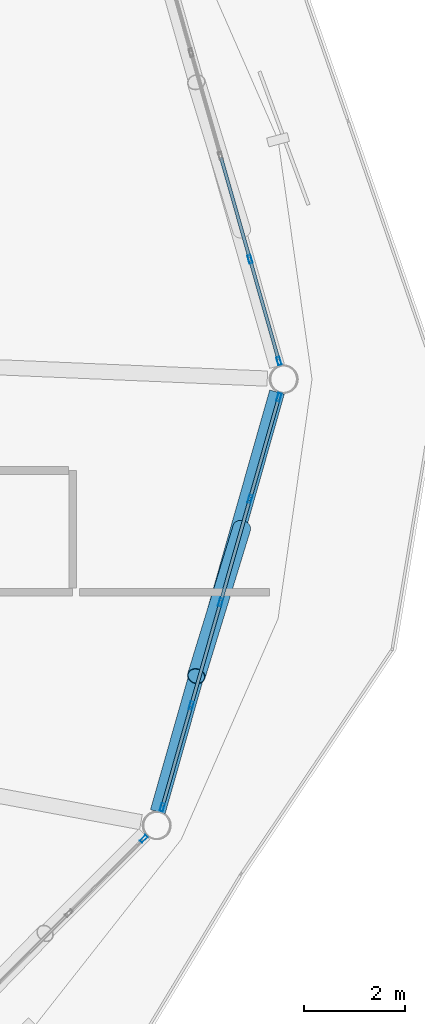
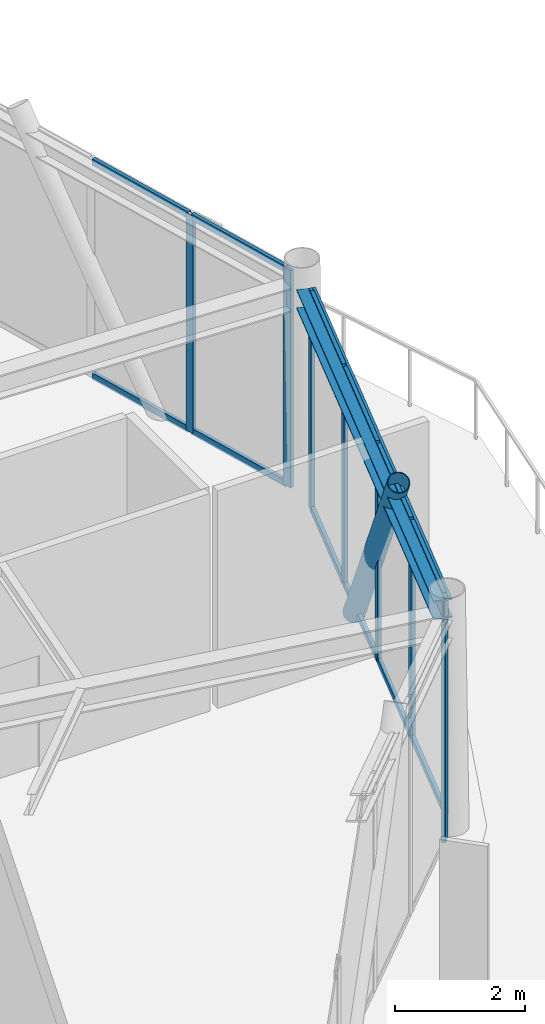
# One storey, part 13 of 24: 21 members, 1 beam, 3 elements without a shape of their own.
"""IFC4 building model written with IfcOpenShell, lengths in metres."""

import ifcopenshell
import ifcopenshell.guid

model = None  # the IFC model being written
_history = None  # IfcOwnerHistory: only IFC2X3 demands one
_inside = {}  # id of a spatial element -> (the spatial element, [elements in it])
_under = {}  # id of a project, library or spatial element -> (it, [spatial elements below it])
_declared = {}  # id of a project -> (the project, [libraries it declares])
_typed = {}  # id of a type object -> (the type object, [elements of that type])
_made_of = {}  # id of a material, layer set ... -> (it, [elements and type objects made of it])


def new_model(schema):
    """Start an empty IFC model of exactly this schema.

    Asked for "IFC4X3", IfcOpenShell would pick the latest addendum, in which some entities
    have other attributes; the version numbers below select the first issue.
    IFC2X3 requires an IfcOwnerHistory on every rooted entity: one is made here for all.
    """
    global model, _history
    if schema == "IFC4X3":
        model = ifcopenshell.file(schema_version=(4, 3, 0, 0))
    else:
        model = ifcopenshell.file(schema=schema)
    _inside.clear()
    _under.clear()
    _declared.clear()
    _typed.clear()
    _made_of.clear()
    _history = None
    if model.schema == "IFC2X3":
        org = make("IfcOrganization", Name="unknown")
        user = make(
            "IfcPersonAndOrganization",
            ThePerson=make("IfcPerson", FamilyName="unknown"),
            TheOrganization=org,
        )
        app = make(
            "IfcApplication",
            ApplicationDeveloper=org,
            Version="unknown",
            ApplicationFullName="unknown",
            ApplicationIdentifier="unknown",
        )
        _history = make(
            "IfcOwnerHistory",
            OwningUser=user,
            OwningApplication=app,
            ChangeAction="ADDED",
            CreationDate=0,
        )
    return model


def make(cls, **values):
    """One entity of the class cls with the attributes given. An attribute that is None is left unset."""
    return model.create_entity(
        cls, **{name: value for name, value in values.items() if value is not None}
    )


def rooted(cls, **values):
    """An entity with a GlobalId (a new one), such as an element, a storey or a relation."""
    return make(cls, GlobalId=ifcopenshell.guid.new(), OwnerHistory=_history, **values)


def si_unit(unit_type, name, prefix=None):
    """IfcSIUnit, for example si_unit("LENGTHUNIT", "METRE", prefix="MILLI")."""
    return make("IfcSIUnit", UnitType=unit_type, Prefix=prefix, Name=name)


def assignment(units):
    """IfcUnitAssignment: the units of a project."""
    return None if units is None else make("IfcUnitAssignment", Units=units)


def point(xyz):
    """IfcCartesianPoint."""
    return None if xyz is None else make("IfcCartesianPoint", Coordinates=xyz)


def direction(xyz):
    """IfcDirection."""
    return None if xyz is None else make("IfcDirection", DirectionRatios=xyz)


def frame(location, z_axis=None, x_axis=None):
    """IfcAxis2Placement3D, a coordinate frame: its origin and axes. An axis left out is left unset."""
    return make(
        "IfcAxis2Placement3D",
        Location=point(location),
        Axis=direction(z_axis),
        RefDirection=direction(x_axis),
    )


def frame_2d(location, x_axis=None):
    """IfcAxis2Placement2D, a coordinate frame in the plane: its origin and x axis."""
    return make(
        "IfcAxis2Placement2D", Location=point(location), RefDirection=direction(x_axis)
    )


def origin():
    """The frame at (0, 0, 0) with its axes left unset."""
    return frame((0.0, 0.0, 0.0))


def origin_2d():
    """The frame at (0, 0) in the plane with its x axis left unset."""
    return frame_2d((0.0, 0.0))


def place(relative_to, where):
    """IfcLocalPlacement: puts the frame where relative to a parent placement (None: the world)."""
    return make(
        "IfcLocalPlacement", PlacementRelTo=relative_to, RelativePlacement=where
    )


def context(
    kind, dimensions, precision=None, world=None, true_north=None, identifier=None
):
    """IfcGeometricRepresentationContext, for example the 3D "Model" context."""
    return make(
        "IfcGeometricRepresentationContext",
        ContextIdentifier=identifier,
        ContextType=kind,
        CoordinateSpaceDimension=dimensions,
        Precision=precision,
        WorldCoordinateSystem=world,
        TrueNorth=true_north,
    )


def subcontext(parent, identifier, kind, view, scale=None):
    """IfcGeometricRepresentationSubContext, for example "Body" below "Model"."""
    return make(
        "IfcGeometricRepresentationSubContext",
        ContextIdentifier=identifier,
        ContextType=kind,
        ParentContext=parent,
        TargetScale=scale,
        TargetView=view,
    )


def project(units=None, contexts=None):
    """IfcProject with its units and contexts."""
    return rooted(
        "IfcProject",
        Name="project",
        RepresentationContexts=contexts,
        UnitsInContext=assignment(units),
    )


def spatial(cls, under=None, at=None, **own):
    """A site, building, storey or space (cls), placed at a placement, below another one or the project."""
    s = rooted(cls, ObjectPlacement=at, **own)
    if under is not None:
        _under.setdefault(under.id(), (under, []))[1].append(s)
    return s


def profile(cls, at=None, kind="AREA", **sizes):
    """A parametric profile (cls). Its sizes go by their IFC names, for example OverallWidth=200.0."""
    return make(cls, ProfileType=kind, Position=at, **sizes)


def hollow_rectangle(**sizes):
    """IfcRectangleHollowProfileDef."""
    return profile("IfcRectangleHollowProfileDef", **sizes)


def hollow_circle(**sizes):
    """IfcCircleHollowProfileDef."""
    return profile("IfcCircleHollowProfileDef", **sizes)


def i_section(**sizes):
    """IfcIShapeProfileDef."""
    return profile("IfcIShapeProfileDef", **sizes)


def extrude(swept, where, along, depth):
    """IfcExtrudedAreaSolid: the profile swept, set in the frame where, extruded along a direction by depth."""
    return make(
        "IfcExtrudedAreaSolid",
        SweptArea=swept,
        Position=where,
        ExtrudedDirection=direction(along),
        Depth=depth,
    )


def shape(context_of_items, identifier, shape_type, items):
    """IfcShapeRepresentation: the items that make up one representation, for example the "Body"."""
    return make(
        "IfcShapeRepresentation",
        ContextOfItems=context_of_items,
        RepresentationIdentifier=identifier,
        RepresentationType=shape_type,
        Items=items,
    )


def material(Name=None, Category=None):
    """IfcMaterial."""
    return make("IfcMaterial", Name=Name, Category=Category)


def layer(
    of_material, thickness, ventilated=None, Name=None, Category=None, Priority=None
):
    """IfcMaterialLayer: one layer of a wall or slab, of a material (None: an air gap)."""
    return make(
        "IfcMaterialLayer",
        Material=of_material,
        LayerThickness=thickness,
        IsVentilated=ventilated,
        Name=Name,
        Category=Category,
        Priority=Priority,
    )


def layer_set(layers, Name=None):
    """IfcMaterialLayerSet."""
    return make("IfcMaterialLayerSet", MaterialLayers=layers, LayerSetName=Name)


def material_profile(
    of_material, cross_section, Name=None, Category=None, Priority=None
):
    """IfcMaterialProfile: a cross section and its material."""
    return make(
        "IfcMaterialProfile",
        Name=Name,
        Material=of_material,
        Profile=cross_section,
        Priority=Priority,
        Category=Category,
    )


def profile_set(profiles, Name=None, composite=None):
    """IfcMaterialProfileSet."""
    return make(
        "IfcMaterialProfileSet",
        Name=Name,
        MaterialProfiles=profiles,
        CompositeProfile=composite,
    )


def made_of(thing, what):
    """Note that an element or type object is made of a material, layer set ...; save() writes the relation."""
    if what is not None:
        _made_of.setdefault(what.id(), (what, []))[1].append(thing)
    return thing


def type_object(cls, material=None, **own):
    """A type object (cls), such as IfcWallType, which elements share."""
    return made_of(rooted(cls, **own), material)


def element(
    cls,
    number,
    at=None,
    inside=None,
    cuts=None,
    type_object=None,
    material=None,
    context=None,
    identifier="Body",
    shape_type=None,
    held_by="IfcProductDefinitionShape",
    body=None,
    shapes=None,
    **own,
):
    """One element of the class cls, such as IfcWall. Its Tag is "e" and its number.

    at: its placement. inside: the storey or other place that contains it. cuts: it is an
    opening in that element (IfcRelVoidsElement). A single representation is given by context,
    identifier, shape_type and body (its items); several are given by shapes. held_by: the class
    of the entity that holds the representations. save() writes the other relations.
    """
    e = rooted(cls, Tag="e%d" % number, ObjectPlacement=at, **own)
    if body is not None:
        shapes = [shape(context, identifier, shape_type, body)]
    if shapes is not None:
        e.Representation = make(held_by, Representations=shapes)
    if inside is not None:
        _inside.setdefault(inside.id(), (inside, []))[1].append(e)
    if cuts is not None:
        rooted(
            "IfcRelVoidsElement", RelatingBuildingElement=cuts, RelatedOpeningElement=e
        )
    if type_object is not None:
        _typed.setdefault(type_object.id(), (type_object, []))[1].append(e)
    return made_of(e, material)


def aggregate(whole, parts):
    """IfcRelAggregates: a whole, such as a stair, and the parts it consists of."""
    return rooted("IfcRelAggregates", RelatingObject=whole, RelatedObjects=parts)


def save(model, path):
    """Write the relations noted so far, then the file.

    IfcRelAggregates (storeys below a building ...), IfcRelContainedInSpatialStructure (elements
    in a storey), IfcRelDefinesByType, IfcRelAssociatesMaterial and IfcRelDeclares: one each for
    every whole, place, type object, material and project.
    """
    for whole, parts in _under.values():
        aggregate(whole, parts)
    for where, things in _inside.values():
        rooted(
            "IfcRelContainedInSpatialStructure",
            RelatedElements=things,
            RelatingStructure=where,
        )
    for kind, things in _typed.values():
        rooted("IfcRelDefinesByType", RelatedObjects=things, RelatingType=kind)
    for what, things in _made_of.values():
        rooted("IfcRelAssociatesMaterial", RelatedObjects=things, RelatingMaterial=what)
    for by, libraries in _declared.values():
        rooted("IfcRelDeclares", RelatingContext=by, RelatedDefinitions=libraries)
    model.write(path)


model = new_model("IFC4")

# Units and contexts
model_context = context("Model", 3, precision=1e-05, world=origin(), true_north=direction((0.0, 1.0)))
body_context = subcontext(model_context, "Body", "Model", "MODEL_VIEW")
ifc_project = project(units=[si_unit("LENGTHUNIT", "METRE"), si_unit("AREAUNIT", "SQUARE_METRE"), si_unit("VOLUMEUNIT", "CUBIC_METRE"), si_unit("PLANEANGLEUNIT", "RADIAN"), si_unit("MASSUNIT", "GRAM", prefix="KILO")], contexts=[model_context])

# Site, building, storey
site_placement = place(None, origin())
site = spatial("IfcSite", under=ifc_project, at=site_placement, CompositionType="ELEMENT")
building_placement = place(site_placement, origin())
building = spatial("IfcBuilding", under=site, at=building_placement, Name="Varnakorn Sky Granary", CompositionType="ELEMENT")
storey_placement = place(building_placement, frame((0.0, 0.0, 285.0)))
storey = spatial("IfcBuildingStorey", under=building, at=storey_placement, Name="L73", CompositionType="ELEMENT", Elevation=285.0)

# Beam
ifc_material_1 = material(Name="Steel S355JR", Category="steel")
ifc_material_profile_1 = material_profile(ifc_material_1, i_section(OverallWidth=0.300048828125, OverallDepth=0.360107421875, WebThickness=0.012451171875, FlangeThickness=0.0224609375, at=origin_2d()), Name="HE 360 B")
ifc_profile_set_1 = profile_set([ifc_material_profile_1], Name="Steel S355JR")
beam_type = type_object("IfcBeamType", Name="BM-SPD-Z5", PredefinedType="SPANDREL", material=ifc_profile_set_1)
beam_placement = place(storey_placement, frame((20.17724609375, -8.528076171875, 3.89990234375), z_axis=(0.273262465219, 0.961939512185, 0.0), x_axis=(-0.961939512185, 0.273262465219, 0.0)))
element("IfcBeam", 1, at=beam_placement, inside=storey, type_object=beam_type, Name="Perimeter Spandrel Ring Beam RB12 L73", PredefinedType="SPANDREL", context=body_context, shape_type="SweptSolid", body=[
    extrude(i_section(OverallWidth=0.300048828125, OverallDepth=0.360107421875, WebThickness=0.012451171875, FlangeThickness=0.0224609375, at=origin_2d()), origin(), (0.0, 0.0, 1.0), 8.60107421875),
])

# Curtain wall, members
ifc_material_2 = material(Name="Anodised Bronze Aluminium Alloy 6063-T6", Category="aluminium")
ifc_layer = layer(ifc_material_2, 0.159912109375, Name="Anodised Bronze Aluminium Alloy 6063-T6")
ifc_layer_set = layer_set([ifc_layer], Name="Anodised Bronze Aluminium Alloy 6063-T6")
curtain_wall_type = type_object("IfcCurtainWallType", Name="CW-OFF-1", PredefinedType="USERDEFINED", material=ifc_layer_set)
curtain_wall_1_placement = place(storey_placement, origin())
curtain_wall_1 = element("IfcCurtainWall", 2, at=curtain_wall_1_placement, inside=storey, type_object=curtain_wall_type, Name="Unitised Curtain Wall CW6 CW-L73-B01", ObjectType="CURTAIN WALL", PredefinedType="USERDEFINED")
ifc_material_profile_2 = material_profile(ifc_material_2, hollow_rectangle(XDim=0.06494140625, YDim=0.159912109375, WallThickness=0.00341796875, at=origin_2d()), Name="ALU MULL 65x160")
ifc_profile_set_2 = profile_set([ifc_material_profile_2], Name="Anodised Bronze Aluminium Alloy 6063-T6")
member_type_1 = type_object("IfcMemberType", Name="CW-OFF-1-MULL", PredefinedType="MULLION", material=ifc_profile_set_2)
member_1_placement = place(storey_placement, frame((21.99560546875, 2.363037109375, 0.0), z_axis=(0.0, 0.0, 1.0), x_axis=(0.96181256174, 0.273708962366, 0.0)))
member_1 = element("IfcMember", 3, at=member_1_placement, type_object=member_type_1, Name="CW6 mullion 4", PredefinedType="MULLION", context=body_context, shape_type="SweptSolid", body=[
    extrude(hollow_rectangle(XDim=0.06494140625, YDim=0.159912109375, WallThickness=0.00341796875, at=origin_2d()), origin(), (0.0, 0.0, 1.0), 4.080078125),
])
member_2_placement = place(storey_placement, frame((22.566162109375, 0.357666015625, 0.0), z_axis=(0.0, 0.0, 1.0), x_axis=(0.96181256174, 0.273708962366, 0.0)))
member_2 = element("IfcMember", 4, at=member_2_placement, type_object=member_type_1, Name="CW6 mullion 5", PredefinedType="MULLION", context=body_context, shape_type="SweptSolid", body=[
    extrude(hollow_rectangle(XDim=0.06494140625, YDim=0.159912109375, WallThickness=0.00341796875, at=origin_2d()), origin(), (0.0, 0.0, 1.0), 4.080078125),
])

# Curtain wall, member
curtain_wall_2_placement = place(storey_placement, origin())
curtain_wall_2 = element("IfcCurtainWall", 5, at=curtain_wall_2_placement, inside=storey, type_object=curtain_wall_type, Name="Unitised Curtain Wall CW6 CW-L73-B11", ObjectType="CURTAIN WALL", PredefinedType="USERDEFINED")
member_3_placement = place(storey_placement, frame((19.900146484375, -9.06201171875, 0.0), z_axis=(0.0, 0.0, 1.0), x_axis=(0.705418921213, -0.708790621831, 0.0)))
member_3 = element("IfcMember", 6, at=member_3_placement, type_object=member_type_1, Name="CW6 mullion 1", PredefinedType="MULLION", context=body_context, shape_type="SweptSolid", body=[
    extrude(hollow_rectangle(XDim=0.06494140625, YDim=0.159912109375, WallThickness=0.00341796875, at=origin_2d()), origin(), (0.0, 0.0, 1.0), 4.080078125),
])
aggregate(curtain_wall_2, [member_3])

# Curtain wall, members
curtain_wall_3_placement = place(storey_placement, origin())
curtain_wall_3 = element("IfcCurtainWall", 7, at=curtain_wall_3_placement, inside=storey, type_object=curtain_wall_type, Name="Unitised Curtain Wall CW6 CW-L73-B12", ObjectType="CURTAIN WALL", PredefinedType="USERDEFINED")
member_4_placement = place(storey_placement, frame((22.566162109375, -0.357666015625, 0.0), z_axis=(0.0, 0.0, 1.0), x_axis=(0.96181256174, -0.273708962366, 0.0)))
member_4 = element("IfcMember", 8, at=member_4_placement, type_object=member_type_1, Name="CW6 mullion 1", PredefinedType="MULLION", context=body_context, shape_type="SweptSolid", body=[
    extrude(hollow_rectangle(XDim=0.06494140625, YDim=0.159912109375, WallThickness=0.00341796875, at=origin_2d()), origin(), (0.0, 0.0, 1.0), 4.080078125),
])
member_5_placement = place(storey_placement, frame((21.99560546875, -2.363037109375, 0.0), z_axis=(0.0, 0.0, 1.0), x_axis=(0.96181256174, -0.273708962366, 0.0)))
member_5 = element("IfcMember", 9, at=member_5_placement, type_object=member_type_1, Name="CW6 mullion 2", PredefinedType="MULLION", context=body_context, shape_type="SweptSolid", body=[
    extrude(hollow_rectangle(XDim=0.06494140625, YDim=0.159912109375, WallThickness=0.00341796875, at=origin_2d()), origin(), (0.0, 0.0, 1.0), 4.080078125),
])
member_6_placement = place(storey_placement, frame((21.416015625, -4.399658203125, 0.0), z_axis=(0.0, 0.0, 1.0), x_axis=(0.96181256174, -0.273708962366, 0.0)))
member_6 = element("IfcMember", 10, at=member_6_placement, type_object=member_type_1, Name="CW6 mullion 3", PredefinedType="MULLION", context=body_context, shape_type="SweptSolid", body=[
    extrude(hollow_rectangle(XDim=0.06494140625, YDim=0.159912109375, WallThickness=0.00341796875, at=origin_2d()), origin(), (0.0, 0.0, 1.0), 4.080078125),
])
member_7_placement = place(storey_placement, frame((20.83642578125, -6.436279296875, 0.0), z_axis=(0.0, 0.0, 1.0), x_axis=(0.96181256174, -0.273708962366, 0.0)))
member_7 = element("IfcMember", 11, at=member_7_placement, type_object=member_type_1, Name="CW6 mullion 4", PredefinedType="MULLION", context=body_context, shape_type="SweptSolid", body=[
    extrude(hollow_rectangle(XDim=0.06494140625, YDim=0.159912109375, WallThickness=0.00341796875, at=origin_2d()), origin(), (0.0, 0.0, 1.0), 4.080078125),
])
member_8_placement = place(storey_placement, frame((20.265625, -8.441650390625, 0.0), z_axis=(0.0, 0.0, 1.0), x_axis=(0.96181256174, -0.273708962366, 0.0)))
member_8 = element("IfcMember", 12, at=member_8_placement, type_object=member_type_1, Name="CW6 mullion 5", PredefinedType="MULLION", context=body_context, shape_type="SweptSolid", body=[
    extrude(hollow_rectangle(XDim=0.06494140625, YDim=0.159912109375, WallThickness=0.00341796875, at=origin_2d()), origin(), (0.0, 0.0, 1.0), 4.080078125),
])

# Member
ifc_material_profile_3 = material_profile(ifc_material_2, hollow_rectangle(XDim=0.06494140625, YDim=0.1201171875, WallThickness=0.00341796875, at=origin_2d()), Name="ALU TRAN 65x120")
ifc_profile_set_3 = profile_set([ifc_material_profile_3], Name="Anodised Bronze Aluminium Alloy 6063-T6")
member_type_2 = type_object("IfcMemberType", Name="CW-OFF-1-TRAN", PredefinedType="USERDEFINED", material=ifc_profile_set_3)
member_9_placement = place(storey_placement, frame((21.4248046875, 4.368408203125, 0.032470703125), z_axis=(0.273699813873, -0.961815165136, 0.0), x_axis=(0.961815165136, 0.273699813873, 0.0)))
member_9 = element("IfcMember", 13, at=member_9_placement, type_object=member_type_2, Name="CW6 transom 3.1", ObjectType="TRANSOM", PredefinedType="USERDEFINED", context=body_context, shape_type="SweptSolid", body=[
    extrude(hollow_rectangle(XDim=0.06494140625, YDim=0.1201171875, WallThickness=0.00341796875, at=origin_2d()), origin(), (0.0, 0.0, 1.0), 2.052490234375),
])

member_10_placement = place(storey_placement, frame((21.4248046875, 4.368408203125, 4.047607421875), z_axis=(0.273699813873, -0.961815165136, 0.0), x_axis=(0.961815165136, 0.273699813873, 0.0)))
member_10 = element("IfcMember", 14, at=member_10_placement, type_object=member_type_2, Name="CW6 transom 3.2", ObjectType="TRANSOM", PredefinedType="USERDEFINED", context=body_context, shape_type="SweptSolid", body=[
    extrude(hollow_rectangle(XDim=0.06494140625, YDim=0.1201171875, WallThickness=0.00341796875, at=origin_2d()), origin(), (0.0, 0.0, 1.0), 2.052490234375),
])

member_11_placement = place(storey_placement, frame((22.00439453125, 2.331787109375, 0.032470703125), z_axis=(0.273747268146, -0.961801660002, 0.0), x_axis=(0.961801660002, 0.273747268146, 0.0)))
member_11 = element("IfcMember", 15, at=member_11_placement, type_object=member_type_2, Name="CW6 transom 4.1", ObjectType="TRANSOM", PredefinedType="USERDEFINED", context=body_context, shape_type="SweptSolid", body=[
    extrude(hollow_rectangle(XDim=0.06494140625, YDim=0.1201171875, WallThickness=0.00341796875, at=origin_2d()), origin(), (0.0, 0.0, 1.0), 2.02001953125),
])

member_12_placement = place(storey_placement, frame((22.00439453125, 2.331787109375, 4.047607421875), z_axis=(0.273747268146, -0.961801660002, 0.0), x_axis=(0.961801660002, 0.273747268146, 0.0)))
member_12 = element("IfcMember", 16, at=member_12_placement, type_object=member_type_2, Name="CW6 transom 4.2", ObjectType="TRANSOM", PredefinedType="USERDEFINED", context=body_context, shape_type="SweptSolid", body=[
    extrude(hollow_rectangle(XDim=0.06494140625, YDim=0.1201171875, WallThickness=0.00341796875, at=origin_2d()), origin(), (0.0, 0.0, 1.0), 2.02001953125),
])

aggregate(curtain_wall_1, [member_1, member_2, member_9, member_10, member_11, member_12])

member_13_placement = place(storey_placement, frame((22.557373046875, -0.388916015625, 0.032470703125), z_axis=(-0.273747268146, -0.961801660002, 0.0), x_axis=(0.961801660002, -0.273747268146, 0.0)))
member_13 = element("IfcMember", 17, at=member_13_placement, type_object=member_type_2, Name="CW6 transom 1.1", ObjectType="TRANSOM", PredefinedType="USERDEFINED", context=body_context, shape_type="SweptSolid", body=[
    extrude(hollow_rectangle(XDim=0.06494140625, YDim=0.1201171875, WallThickness=0.00341796875, at=origin_2d()), origin(), (0.0, 0.0, 1.0), 2.02001953125),
])

member_14_placement = place(storey_placement, frame((22.557373046875, -0.388916015625, 4.047607421875), z_axis=(-0.273747268146, -0.961801660002, 0.0), x_axis=(0.961801660002, -0.273747268146, 0.0)))
member_14 = element("IfcMember", 18, at=member_14_placement, type_object=member_type_2, Name="CW6 transom 1.2", ObjectType="TRANSOM", PredefinedType="USERDEFINED", context=body_context, shape_type="SweptSolid", body=[
    extrude(hollow_rectangle(XDim=0.06494140625, YDim=0.1201171875, WallThickness=0.00341796875, at=origin_2d()), origin(), (0.0, 0.0, 1.0), 2.02001953125),
])

member_15_placement = place(storey_placement, frame((21.986572265625, -2.394287109375, 0.032470703125), z_axis=(-0.273699813873, -0.961815165136, 0.0), x_axis=(0.961815165136, -0.273699813873, 0.0)))
member_15 = element("IfcMember", 19, at=member_15_placement, type_object=member_type_2, Name="CW6 transom 2.1", ObjectType="TRANSOM", PredefinedType="USERDEFINED", context=body_context, shape_type="SweptSolid", body=[
    extrude(hollow_rectangle(XDim=0.06494140625, YDim=0.1201171875, WallThickness=0.00341796875, at=origin_2d()), origin(), (0.0, 0.0, 1.0), 2.052490234375),
])

member_16_placement = place(storey_placement, frame((21.986572265625, -2.394287109375, 4.047607421875), z_axis=(-0.273699813873, -0.961815165136, 0.0), x_axis=(0.961815165136, -0.273699813873, 0.0)))
member_16 = element("IfcMember", 20, at=member_16_placement, type_object=member_type_2, Name="CW6 transom 2.2", ObjectType="TRANSOM", PredefinedType="USERDEFINED", context=body_context, shape_type="SweptSolid", body=[
    extrude(hollow_rectangle(XDim=0.06494140625, YDim=0.1201171875, WallThickness=0.00341796875, at=origin_2d()), origin(), (0.0, 0.0, 1.0), 2.052490234375),
])

member_17_placement = place(storey_placement, frame((21.406982421875, -4.430908203125, 0.032470703125), z_axis=(-0.273699813873, -0.961815165136, 0.0), x_axis=(0.961815165136, -0.273699813873, 0.0)))
member_17 = element("IfcMember", 21, at=member_17_placement, type_object=member_type_2, Name="CW6 transom 3.1", ObjectType="TRANSOM", PredefinedType="USERDEFINED", context=body_context, shape_type="SweptSolid", body=[
    extrude(hollow_rectangle(XDim=0.06494140625, YDim=0.1201171875, WallThickness=0.00341796875, at=origin_2d()), origin(), (0.0, 0.0, 1.0), 2.052490234375),
])

member_18_placement = place(storey_placement, frame((21.406982421875, -4.430908203125, 4.047607421875), z_axis=(-0.273699813873, -0.961815165136, 0.0), x_axis=(0.961815165136, -0.273699813873, 0.0)))
member_18 = element("IfcMember", 22, at=member_18_placement, type_object=member_type_2, Name="CW6 transom 3.2", ObjectType="TRANSOM", PredefinedType="USERDEFINED", context=body_context, shape_type="SweptSolid", body=[
    extrude(hollow_rectangle(XDim=0.06494140625, YDim=0.1201171875, WallThickness=0.00341796875, at=origin_2d()), origin(), (0.0, 0.0, 1.0), 2.052490234375),
])

member_19_placement = place(storey_placement, frame((20.827392578125, -6.467529296875, 0.032470703125), z_axis=(-0.27363545981, -0.961833475782, 0.0), x_axis=(0.961833475782, -0.27363545981, 0.0)))
member_19 = element("IfcMember", 23, at=member_19_placement, type_object=member_type_2, Name="CW6 transom 4.1", ObjectType="TRANSOM", PredefinedType="USERDEFINED", context=body_context, shape_type="SweptSolid", body=[
    extrude(hollow_rectangle(XDim=0.06494140625, YDim=0.1201171875, WallThickness=0.00341796875, at=origin_2d()), origin(), (0.0, 0.0, 1.0), 2.02001953125),
])

member_20_placement = place(storey_placement, frame((20.827392578125, -6.467529296875, 4.047607421875), z_axis=(-0.27363545981, -0.961833475782, 0.0), x_axis=(0.961833475782, -0.27363545981, 0.0)))
member_20 = element("IfcMember", 24, at=member_20_placement, type_object=member_type_2, Name="CW6 transom 4.2", ObjectType="TRANSOM", PredefinedType="USERDEFINED", context=body_context, shape_type="SweptSolid", body=[
    extrude(hollow_rectangle(XDim=0.06494140625, YDim=0.1201171875, WallThickness=0.00341796875, at=origin_2d()), origin(), (0.0, 0.0, 1.0), 2.02001953125),
])

aggregate(curtain_wall_3, [member_4, member_5, member_6, member_7, member_8, member_13, member_14, member_15, member_16, member_17, member_18, member_19, member_20])

ifc_material_3 = material(Name="Steel S460M", Category="steel")
ifc_material_profile_4 = material_profile(ifc_material_3, hollow_circle(Radius=0.177734375, WallThickness=0.01416015625, at=origin_2d()), Name="CHS 355.6x14")
ifc_profile_set_4 = profile_set([ifc_material_profile_4], Name="Steel S460M")
member_type_3 = type_object("IfcMemberType", Name="MB-DIAG-T5", PredefinedType="BRACE", material=ifc_profile_set_4)
member_21_placement = place(storey_placement, frame((21.833251953125, -2.93310546875, -0.1298828125), z_axis=(-0.164307591765, -0.535521039828, 0.828384108484), x_axis=(0.956013596625, -0.29332235351, 0.0)))
element("IfcMember", 25, at=member_21_placement, inside=storey, type_object=member_type_3, Name="Perimeter CHS Diagrid Brace DG12 L73", PredefinedType="BRACE", context=body_context, shape_type="SweptSolid", body=[
    extrude(hollow_circle(Radius=0.177734375, WallThickness=0.01416015625, at=origin_2d()), origin(), (0.0, 0.0, 1.0), 5.4560546875),
])

save(model, "model.ifc")
